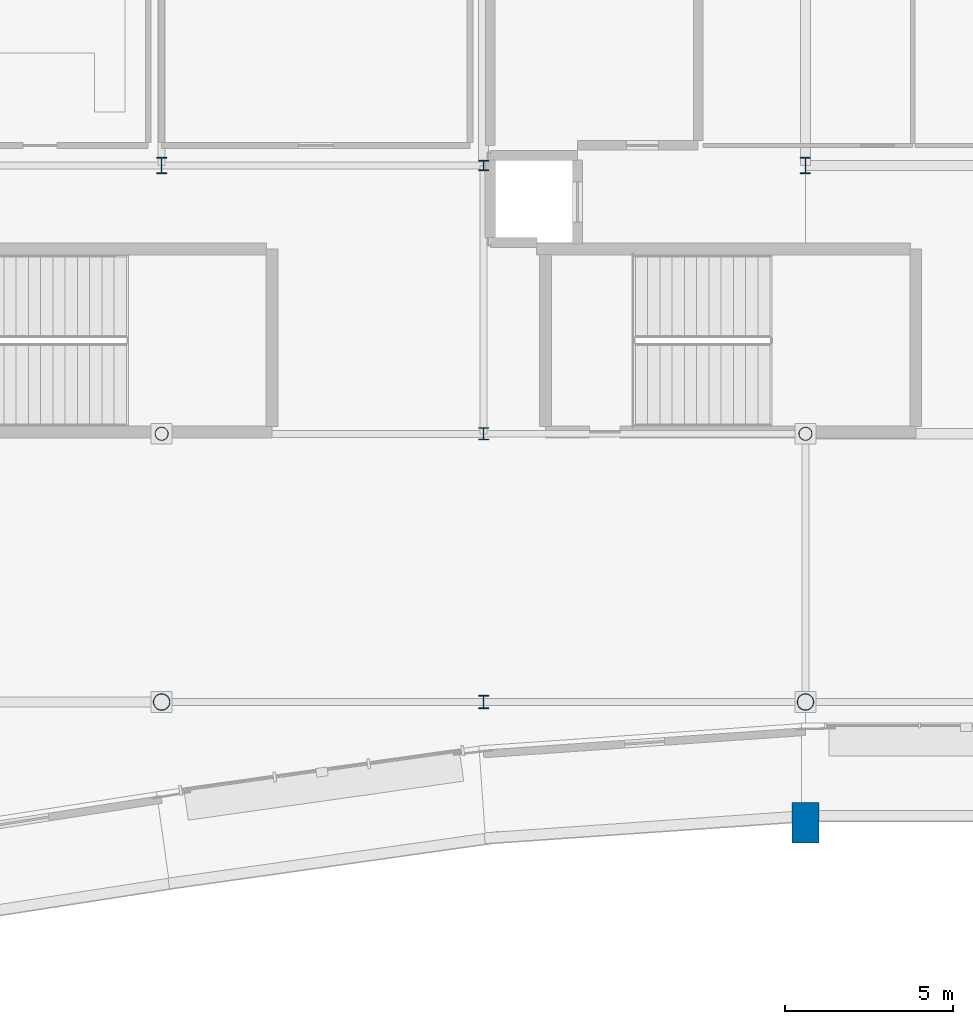
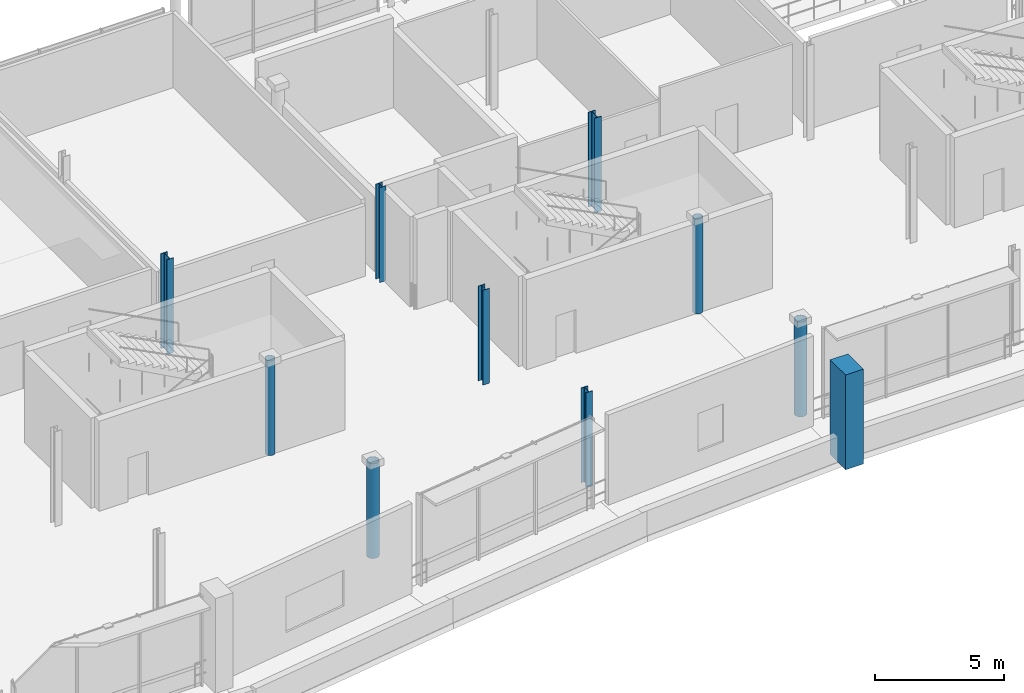
# One storey, part 2 of 59: 10 columns.
"""IFC4 building model written with IfcOpenShell, lengths in metres."""

import ifcopenshell
import ifcopenshell.guid

model = None  # the IFC model being written
_history = None  # IfcOwnerHistory: only IFC2X3 demands one
_inside = {}  # id of a spatial element -> (the spatial element, [elements in it])
_under = {}  # id of a project, library or spatial element -> (it, [spatial elements below it])
_declared = {}  # id of a project -> (the project, [libraries it declares])
_typed = {}  # id of a type object -> (the type object, [elements of that type])
_made_of = {}  # id of a material, layer set ... -> (it, [elements and type objects made of it])


def new_model(schema):
    """Start an empty IFC model of exactly this schema.

    Asked for "IFC4X3", IfcOpenShell would pick the latest addendum, in which some entities
    have other attributes; the version numbers below select the first issue.
    IFC2X3 requires an IfcOwnerHistory on every rooted entity: one is made here for all.
    """
    global model, _history
    if schema == "IFC4X3":
        model = ifcopenshell.file(schema_version=(4, 3, 0, 0))
    else:
        model = ifcopenshell.file(schema=schema)
    _inside.clear()
    _under.clear()
    _declared.clear()
    _typed.clear()
    _made_of.clear()
    _history = None
    if model.schema == "IFC2X3":
        org = make("IfcOrganization", Name="unknown")
        user = make(
            "IfcPersonAndOrganization",
            ThePerson=make("IfcPerson", FamilyName="unknown"),
            TheOrganization=org,
        )
        app = make(
            "IfcApplication",
            ApplicationDeveloper=org,
            Version="unknown",
            ApplicationFullName="unknown",
            ApplicationIdentifier="unknown",
        )
        _history = make(
            "IfcOwnerHistory",
            OwningUser=user,
            OwningApplication=app,
            ChangeAction="ADDED",
            CreationDate=0,
        )
    return model


def make(cls, **values):
    """One entity of the class cls with the attributes given. An attribute that is None is left unset."""
    return model.create_entity(
        cls, **{name: value for name, value in values.items() if value is not None}
    )


def rooted(cls, **values):
    """An entity with a GlobalId (a new one), such as an element, a storey or a relation."""
    return make(cls, GlobalId=ifcopenshell.guid.new(), OwnerHistory=_history, **values)


def si_unit(unit_type, name, prefix=None):
    """IfcSIUnit, for example si_unit("LENGTHUNIT", "METRE", prefix="MILLI")."""
    return make("IfcSIUnit", UnitType=unit_type, Prefix=prefix, Name=name)


def assignment(units):
    """IfcUnitAssignment: the units of a project."""
    return None if units is None else make("IfcUnitAssignment", Units=units)


def point(xyz):
    """IfcCartesianPoint."""
    return None if xyz is None else make("IfcCartesianPoint", Coordinates=xyz)


def direction(xyz):
    """IfcDirection."""
    return None if xyz is None else make("IfcDirection", DirectionRatios=xyz)


def frame(location, z_axis=None, x_axis=None):
    """IfcAxis2Placement3D, a coordinate frame: its origin and axes. An axis left out is left unset."""
    return make(
        "IfcAxis2Placement3D",
        Location=point(location),
        Axis=direction(z_axis),
        RefDirection=direction(x_axis),
    )


def frame_2d(location, x_axis=None):
    """IfcAxis2Placement2D, a coordinate frame in the plane: its origin and x axis."""
    return make(
        "IfcAxis2Placement2D", Location=point(location), RefDirection=direction(x_axis)
    )


def origin():
    """The frame at (0, 0, 0) with its axes left unset."""
    return frame((0.0, 0.0, 0.0))


def origin_2d():
    """The frame at (0, 0) in the plane with its x axis left unset."""
    return frame_2d((0.0, 0.0))


def place(relative_to, where):
    """IfcLocalPlacement: puts the frame where relative to a parent placement (None: the world)."""
    return make(
        "IfcLocalPlacement", PlacementRelTo=relative_to, RelativePlacement=where
    )


def context(
    kind, dimensions, precision=None, world=None, true_north=None, identifier=None
):
    """IfcGeometricRepresentationContext, for example the 3D "Model" context."""
    return make(
        "IfcGeometricRepresentationContext",
        ContextIdentifier=identifier,
        ContextType=kind,
        CoordinateSpaceDimension=dimensions,
        Precision=precision,
        WorldCoordinateSystem=world,
        TrueNorth=true_north,
    )


def subcontext(parent, identifier, kind, view, scale=None):
    """IfcGeometricRepresentationSubContext, for example "Body" below "Model"."""
    return make(
        "IfcGeometricRepresentationSubContext",
        ContextIdentifier=identifier,
        ContextType=kind,
        ParentContext=parent,
        TargetScale=scale,
        TargetView=view,
    )


def project(units=None, contexts=None):
    """IfcProject with its units and contexts."""
    return rooted(
        "IfcProject",
        Name="project",
        RepresentationContexts=contexts,
        UnitsInContext=assignment(units),
    )


def spatial(cls, under=None, at=None, **own):
    """A site, building, storey or space (cls), placed at a placement, below another one or the project."""
    s = rooted(cls, ObjectPlacement=at, **own)
    if under is not None:
        _under.setdefault(under.id(), (under, []))[1].append(s)
    return s


def profile(cls, at=None, kind="AREA", **sizes):
    """A parametric profile (cls). Its sizes go by their IFC names, for example OverallWidth=200.0."""
    return make(cls, ProfileType=kind, Position=at, **sizes)


def rectangle(**sizes):
    """IfcRectangleProfileDef."""
    return profile("IfcRectangleProfileDef", **sizes)


def hollow_circle(**sizes):
    """IfcCircleHollowProfileDef."""
    return profile("IfcCircleHollowProfileDef", **sizes)


def i_section(**sizes):
    """IfcIShapeProfileDef."""
    return profile("IfcIShapeProfileDef", **sizes)


def extrude(swept, where, along, depth):
    """IfcExtrudedAreaSolid: the profile swept, set in the frame where, extruded along a direction by depth."""
    return make(
        "IfcExtrudedAreaSolid",
        SweptArea=swept,
        Position=where,
        ExtrudedDirection=direction(along),
        Depth=depth,
    )


def shape(context_of_items, identifier, shape_type, items):
    """IfcShapeRepresentation: the items that make up one representation, for example the "Body"."""
    return make(
        "IfcShapeRepresentation",
        ContextOfItems=context_of_items,
        RepresentationIdentifier=identifier,
        RepresentationType=shape_type,
        Items=items,
    )


def material(Name=None, Category=None):
    """IfcMaterial."""
    return make("IfcMaterial", Name=Name, Category=Category)


def material_profile(
    of_material, cross_section, Name=None, Category=None, Priority=None
):
    """IfcMaterialProfile: a cross section and its material."""
    return make(
        "IfcMaterialProfile",
        Name=Name,
        Material=of_material,
        Profile=cross_section,
        Priority=Priority,
        Category=Category,
    )


def profile_set(profiles, Name=None, composite=None):
    """IfcMaterialProfileSet."""
    return make(
        "IfcMaterialProfileSet",
        Name=Name,
        MaterialProfiles=profiles,
        CompositeProfile=composite,
    )


def made_of(thing, what):
    """Note that an element or type object is made of a material, layer set ...; save() writes the relation."""
    if what is not None:
        _made_of.setdefault(what.id(), (what, []))[1].append(thing)
    return thing


def type_object(cls, material=None, **own):
    """A type object (cls), such as IfcWallType, which elements share."""
    return made_of(rooted(cls, **own), material)


def element(
    cls,
    number,
    at=None,
    inside=None,
    cuts=None,
    type_object=None,
    material=None,
    context=None,
    identifier="Body",
    shape_type=None,
    held_by="IfcProductDefinitionShape",
    body=None,
    shapes=None,
    **own,
):
    """One element of the class cls, such as IfcWall. Its Tag is "e" and its number.

    at: its placement. inside: the storey or other place that contains it. cuts: it is an
    opening in that element (IfcRelVoidsElement). A single representation is given by context,
    identifier, shape_type and body (its items); several are given by shapes. held_by: the class
    of the entity that holds the representations. save() writes the other relations.
    """
    e = rooted(cls, Tag="e%d" % number, ObjectPlacement=at, **own)
    if body is not None:
        shapes = [shape(context, identifier, shape_type, body)]
    if shapes is not None:
        e.Representation = make(held_by, Representations=shapes)
    if inside is not None:
        _inside.setdefault(inside.id(), (inside, []))[1].append(e)
    if cuts is not None:
        rooted(
            "IfcRelVoidsElement", RelatingBuildingElement=cuts, RelatedOpeningElement=e
        )
    if type_object is not None:
        _typed.setdefault(type_object.id(), (type_object, []))[1].append(e)
    return made_of(e, material)


def aggregate(whole, parts):
    """IfcRelAggregates: a whole, such as a stair, and the parts it consists of."""
    return rooted("IfcRelAggregates", RelatingObject=whole, RelatedObjects=parts)


def save(model, path):
    """Write the relations noted so far, then the file.

    IfcRelAggregates (storeys below a building ...), IfcRelContainedInSpatialStructure (elements
    in a storey), IfcRelDefinesByType, IfcRelAssociatesMaterial and IfcRelDeclares: one each for
    every whole, place, type object, material and project.
    """
    for whole, parts in _under.values():
        aggregate(whole, parts)
    for where, things in _inside.values():
        rooted(
            "IfcRelContainedInSpatialStructure",
            RelatedElements=things,
            RelatingStructure=where,
        )
    for kind, things in _typed.values():
        rooted("IfcRelDefinesByType", RelatedObjects=things, RelatingType=kind)
    for what, things in _made_of.values():
        rooted("IfcRelAssociatesMaterial", RelatedObjects=things, RelatingMaterial=what)
    for by, libraries in _declared.values():
        rooted("IfcRelDeclares", RelatingContext=by, RelatedDefinitions=libraries)
    model.write(path)


model = new_model("IFC4")

# Units and contexts
model_context = context("Model", 3, precision=1e-05, world=origin(), true_north=direction((0.0, 1.0)))
body_context = subcontext(model_context, "Body", "Model", "MODEL_VIEW")
ifc_project = project(units=[si_unit("LENGTHUNIT", "METRE"), si_unit("AREAUNIT", "SQUARE_METRE"), si_unit("VOLUMEUNIT", "CUBIC_METRE"), si_unit("PLANEANGLEUNIT", "RADIAN"), si_unit("MASSUNIT", "GRAM", prefix="KILO")], contexts=[model_context])

# Site, building, storey
site_placement = place(None, origin())
site = spatial("IfcSite", under=ifc_project, at=site_placement, CompositionType="ELEMENT")
building_placement = place(site_placement, origin())
building = spatial("IfcBuilding", under=site, at=building_placement, Name="Danafjord Basin Convention Centre", CompositionType="ELEMENT")
storey_placement = place(building_placement, frame((0.0, 0.0, 15.89990234375)))
storey = spatial("IfcBuildingStorey", under=building, at=storey_placement, Name="L03", CompositionType="ELEMENT", Elevation=15.89990234375)

# Columns
ifc_material_1 = material(Name="Steel S355", Category="steel")
ifc_material_profile_1 = material_profile(ifc_material_1, hollow_circle(Radius=0.203125, WallThickness=0.02001953125, at=origin_2d()), Name="CHS 406.4x20.0")
ifc_profile_set_1 = profile_set([ifc_material_profile_1], Name="Steel S355")
column_type_1 = type_object("IfcColumnType", Name="COL-C-CHS406", PredefinedType="COLUMN", material=ifc_profile_set_1)
for number, where, z_axis, x_axis, name in (
    (1, (38.39990234375, 16.0, 0.0), (0.0, 0.0, 1.0), (1.0, 0.0, 0.0), "L03 column C-CHS406 at (38.4, 16.0)"),
    (2, (57.60009765625, 16.0, 0.0), (0.0, 0.0, 1.0), (1.0, 0.0, 0.0), "L03 column C-CHS406 at (57.6, 16.0)"),
):
    element("IfcColumn", number, at=place(storey_placement, frame(where, z_axis=z_axis, x_axis=x_axis)), inside=storey, type_object=column_type_1, Name=name, PredefinedType="COLUMN", context=body_context, shape_type="SweptSolid", body=[
        extrude(hollow_circle(Radius=0.203125, WallThickness=0.02001953125, at=origin_2d()), origin(), (0.0, 0.0, 1.0), 4.5),
    ])
ifc_material_profile_2 = material_profile(ifc_material_1, hollow_circle(Radius=0.25390625, WallThickness=0.02490234375, at=origin_2d()), Name="CHS 508.0x25.0")
ifc_profile_set_2 = profile_set([ifc_material_profile_2], Name="Steel S355")
column_type_2 = type_object("IfcColumnType", Name="COL-C-CHS508", PredefinedType="COLUMN", material=ifc_profile_set_2)
for number, where, z_axis, x_axis, name in (
    (3, (38.39990234375, 8.0, 0.0), (0.0, 0.0, 1.0), (1.0, 0.0, 0.0), "L03 column C-CHS508 at (38.4, 8.0)"),
    (4, (57.60009765625, 8.0, 0.0), (0.0, 0.0, 1.0), (1.0, 0.0, 0.0), "L03 column C-CHS508 at (57.6, 8.0)"),
):
    element("IfcColumn", number, at=place(storey_placement, frame(where, z_axis=z_axis, x_axis=x_axis)), inside=storey, type_object=column_type_2, Name=name, PredefinedType="COLUMN", context=body_context, shape_type="SweptSolid", body=[
        extrude(hollow_circle(Radius=0.25390625, WallThickness=0.02490234375, at=origin_2d()), origin(), (0.0, 0.0, 1.0), 4.5),
    ])
ifc_material_profile_3 = material_profile(ifc_material_1, i_section(OverallWidth=0.300048828125, OverallDepth=0.300048828125, WebThickness=0.010986328125, FlangeThickness=0.01904296875, FilletRadius=0.027099609375, at=origin_2d()), Name="HEB 300")
ifc_profile_set_3 = profile_set([ifc_material_profile_3], Name="Steel S355")
column_type_3 = type_object("IfcColumnType", Name="COL-C-HEB300", PredefinedType="COLUMN", material=ifc_profile_set_3)
column_1_placement = place(storey_placement, frame((48.0, 24.0, 0.0), z_axis=(0.0, 0.0, 1.0), x_axis=(1.0, 0.0, 0.0)))
element("IfcColumn", 5, at=column_1_placement, inside=storey, type_object=column_type_3, Name="L03 column C-HEB300 at (48.0, 24.0)", PredefinedType="COLUMN", context=body_context, shape_type="SweptSolid", body=[
    extrude(i_section(OverallWidth=0.300048828125, OverallDepth=0.300048828125, WebThickness=0.010986328125, FlangeThickness=0.01904296875, FilletRadius=0.027099609375, at=origin_2d()), origin(), (0.0, 0.0, 1.0), 4.5),
])
ifc_material_profile_4 = material_profile(ifc_material_1, i_section(OverallWidth=0.300048828125, OverallDepth=0.360107421875, WebThickness=0.012451171875, FlangeThickness=0.0224609375, FilletRadius=0.027099609375, at=origin_2d()), Name="HEB 360")
ifc_profile_set_4 = profile_set([ifc_material_profile_4], Name="Steel S355")
column_type_4 = type_object("IfcColumnType", Name="COL-C-HEB360", PredefinedType="COLUMN", material=ifc_profile_set_4)
column_2_placement = place(storey_placement, frame((48.0, 16.0, 0.0), z_axis=(0.0, 0.0, 1.0), x_axis=(1.0, 0.0, 0.0)))
element("IfcColumn", 6, at=column_2_placement, inside=storey, type_object=column_type_4, Name="L03 column C-HEB360 at (48.0, 16.0)", PredefinedType="COLUMN", context=body_context, shape_type="SweptSolid", body=[
    extrude(i_section(OverallWidth=0.300048828125, OverallDepth=0.360107421875, WebThickness=0.012451171875, FlangeThickness=0.0224609375, FilletRadius=0.027099609375, at=origin_2d()), origin(), (0.0, 0.0, 1.0), 4.5),
])
ifc_material_profile_5 = material_profile(ifc_material_1, i_section(OverallWidth=0.300048828125, OverallDepth=0.39990234375, WebThickness=0.013427734375, FlangeThickness=0.02392578125, FilletRadius=0.027099609375, at=origin_2d()), Name="HEB 400")
ifc_profile_set_5 = profile_set([ifc_material_profile_5], Name="Steel S355")
column_type_5 = type_object("IfcColumnType", Name="COL-C-HEB400", PredefinedType="COLUMN", material=ifc_profile_set_5)
column_3_placement = place(storey_placement, frame((48.0, 8.0, 0.0), z_axis=(0.0, 0.0, 1.0), x_axis=(1.0, 0.0, 0.0)))
element("IfcColumn", 7, at=column_3_placement, inside=storey, type_object=column_type_5, Name="L03 column C-HEB400 at (48.0, 8.0)", PredefinedType="COLUMN", context=body_context, shape_type="SweptSolid", body=[
    extrude(i_section(OverallWidth=0.300048828125, OverallDepth=0.39990234375, WebThickness=0.013427734375, FlangeThickness=0.02392578125, FilletRadius=0.027099609375, at=origin_2d()), origin(), (0.0, 0.0, 1.0), 4.5),
])
ifc_material_profile_6 = material_profile(ifc_material_1, i_section(OverallWidth=0.300048828125, OverallDepth=0.5, WebThickness=0.014404296875, FlangeThickness=0.028076171875, FilletRadius=0.027099609375, at=origin_2d()), Name="HEB 500")
ifc_profile_set_6 = profile_set([ifc_material_profile_6], Name="Steel S355")
column_type_6 = type_object("IfcColumnType", Name="COL-C-HEB500", PredefinedType="COLUMN", material=ifc_profile_set_6)
for number, where, z_axis, x_axis, name in (
    (8, (38.39990234375, 24.0, 0.0), (0.0, 0.0, 1.0), (1.0, 0.0, 0.0), "L03 column C-HEB500 at (38.4, 24.0)"),
    (9, (57.60009765625, 24.0, 0.0), (0.0, 0.0, 1.0), (1.0, 0.0, 0.0), "L03 column C-HEB500 at (57.6, 24.0)"),
):
    element("IfcColumn", number, at=place(storey_placement, frame(where, z_axis=z_axis, x_axis=x_axis)), inside=storey, type_object=column_type_6, Name=name, PredefinedType="COLUMN", context=body_context, shape_type="SweptSolid", body=[
        extrude(i_section(OverallWidth=0.300048828125, OverallDepth=0.5, WebThickness=0.014404296875, FlangeThickness=0.028076171875, FilletRadius=0.027099609375, at=origin_2d()), origin(), (0.0, 0.0, 1.0), 4.5),
    ])
ifc_material_2 = material(Name="Precast concrete C45/55", Category="concrete")
ifc_material_profile_7 = material_profile(ifc_material_2, rectangle(XDim=0.800048828125, YDim=1.199951171875, at=origin_2d()), Name="RC 1200x800")
ifc_profile_set_7 = profile_set([ifc_material_profile_7], Name="Precast concrete C45/55")
column_type_7 = type_object("IfcColumnType", Name="COL-C-PIL1200", PredefinedType="PILASTER", material=ifc_profile_set_7)
column_4_placement = place(storey_placement, frame((57.60009765625, 4.39990234375, 0.0), z_axis=(0.0, 0.0, 1.0), x_axis=(1.0, 0.0, 0.0)))
element("IfcColumn", 10, at=column_4_placement, inside=storey, type_object=column_type_7, Name="L03 column C-PIL1200 at (57.6, 4.4)", PredefinedType="PILASTER", context=body_context, shape_type="SweptSolid", body=[
    extrude(rectangle(XDim=0.800048828125, YDim=1.199951171875, at=origin_2d()), origin(), (0.0, 0.0, 1.0), 4.5),
])

save(model, "model.ifc")
